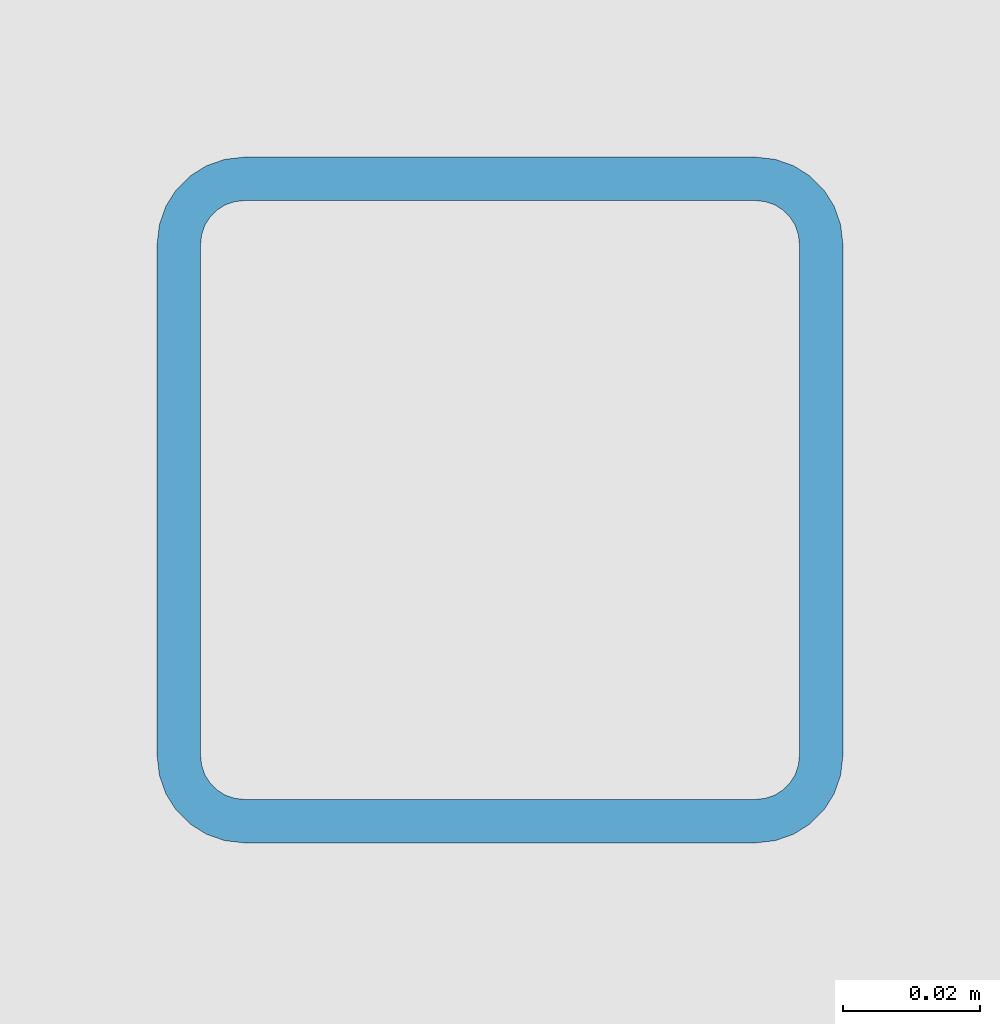
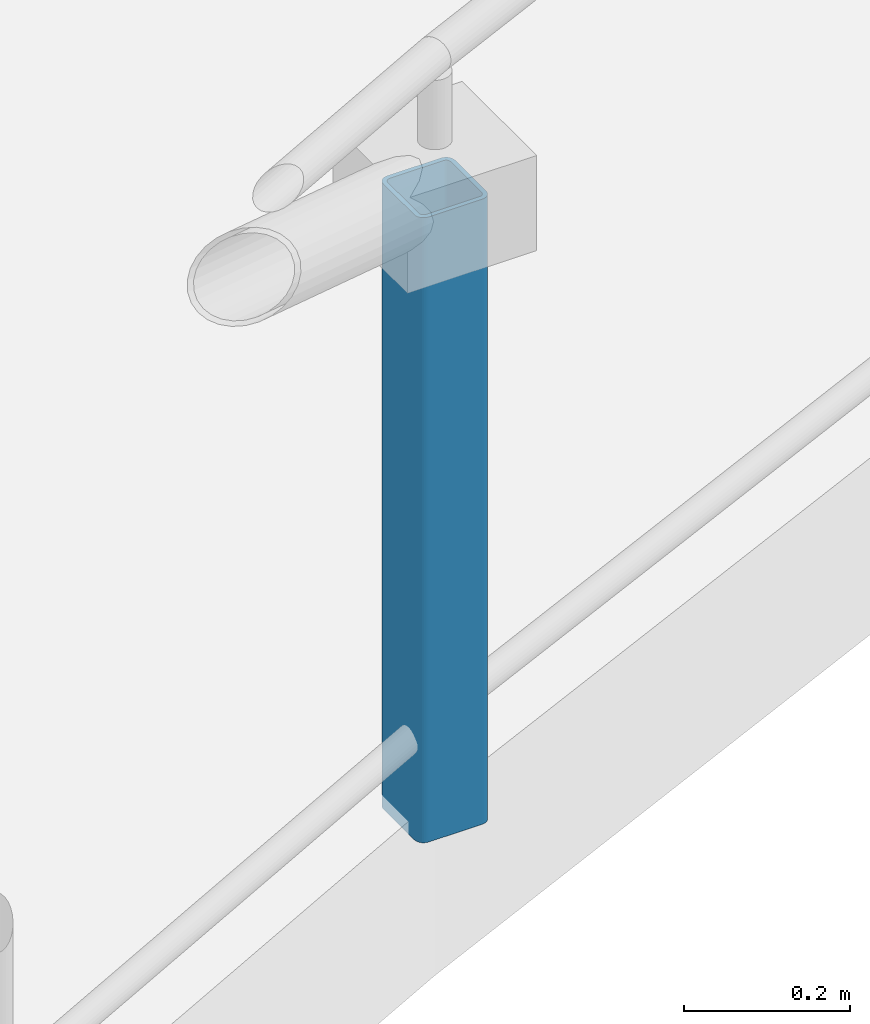
# One storey, part 22 of 58: 1 member.
"""IFC4 building model written with IfcOpenShell, lengths in metres."""

from ifc_helpers import new_model, si_unit, direction, frame, origin, origin_2d, place, context, subcontext, project, spatial, hollow_rectangle, extrude, material, material_profile, profile_set, type_object, element, save


model = new_model("IFC4")

# Units and contexts
model_context = context("Model", 3, precision=1e-05, world=origin(), true_north=direction((0.0, 1.0)))
body_context = subcontext(model_context, "Body", "Model", "MODEL_VIEW")
ifc_project = project(units=[si_unit("LENGTHUNIT", "METRE"), si_unit("AREAUNIT", "SQUARE_METRE"), si_unit("VOLUMEUNIT", "CUBIC_METRE"), si_unit("PLANEANGLEUNIT", "RADIAN"), si_unit("MASSUNIT", "GRAM", prefix="KILO"), si_unit("POWERUNIT", "WATT"), si_unit("THERMODYNAMICTEMPERATUREUNIT", "KELVIN")], contexts=[model_context])

# Site, building, storey
site_placement = place(None, origin())
site = spatial("IfcSite", under=ifc_project, at=site_placement, CompositionType="ELEMENT")
building_placement = place(site_placement, origin())
building = spatial("IfcBuilding", under=site, at=building_placement, Name="Ruvembo Vaulted Housing Court", CompositionType="ELEMENT")
storey_placement = place(building_placement, frame((0.0, 0.0, 20.5)))
storey = spatial("IfcBuildingStorey", under=building, at=storey_placement, Name="L06", CompositionType="ELEMENT", Elevation=20.5)

# Member
ifc_material = material(Name="Steel S355J2", Category="steel")
ifc_material_profile = material_profile(ifc_material, hollow_rectangle(XDim=0.10009765625, YDim=0.10009765625, WallThickness=0.00634765625, InnerFilletRadius=0.00634765625, OuterFilletRadius=0.0126953125, at=origin_2d()), Name="SHS 100x100x6.3")
ifc_profile_set = profile_set([ifc_material_profile], Name="Steel S355J2")
member_type = type_object("IfcMemberType", Name="MEM-FRM-SHS100", PredefinedType="STRUT", material=ifc_profile_set)
member_placement = place(storey_placement, frame((97.663818359375, 91.51806640625, -0.02001953125), z_axis=(0.0, 0.0, 1.0), x_axis=(1.0, 0.0, 0.0)))
element("IfcMember", 1, at=member_placement, inside=storey, type_object=member_type, Name="Scoop SC3 L06 Upswept Post 3B", PredefinedType="STRUT", context=body_context, shape_type="SweptSolid", body=[
    extrude(hollow_rectangle(XDim=0.10009765625, YDim=0.10009765625, WallThickness=0.00634765625, InnerFilletRadius=0.00634765625, OuterFilletRadius=0.0126953125, at=origin_2d()), origin(), (0.0, 0.0, 1.0), 0.919921875),
])

save(model, "model.ifc")
